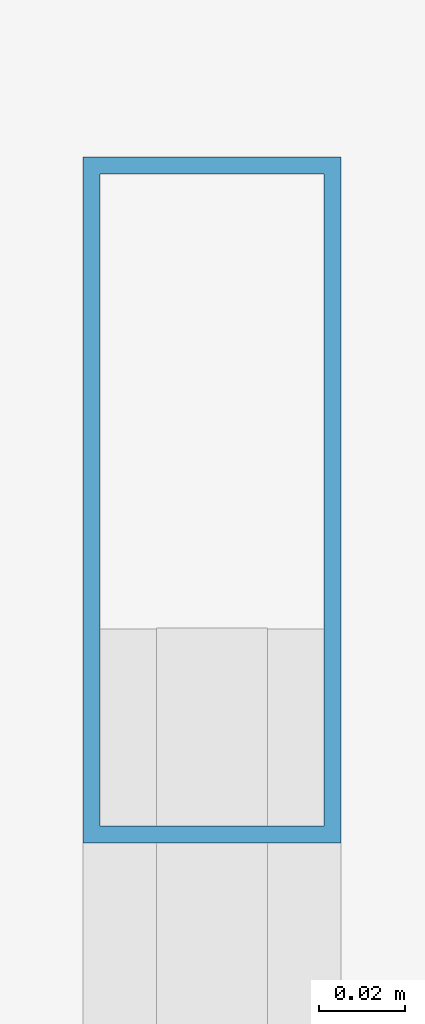
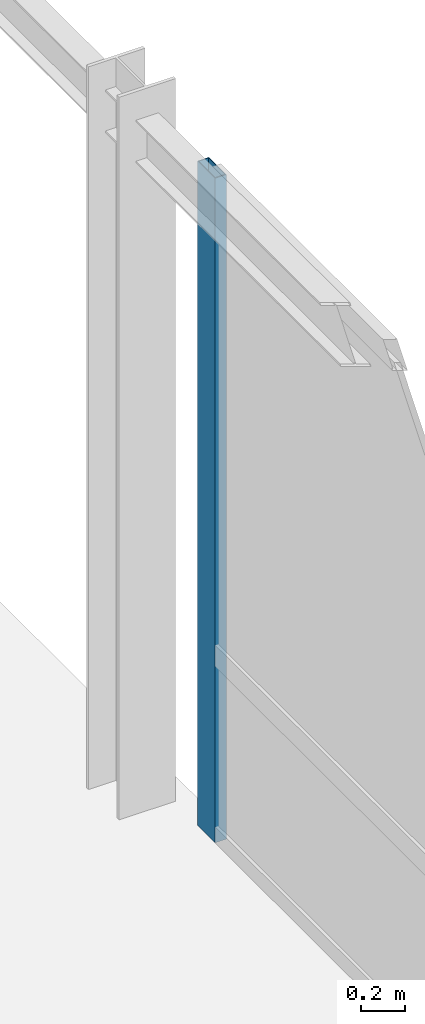
# One storey, part 47 of 165: 1 member, 1 element without a shape of its own.
"""IFC4 building model written with IfcOpenShell, lengths in metres."""

from ifc_helpers import new_model, si_unit, direction, frame, origin, origin_2d, place, context, subcontext, project, spatial, hollow_rectangle, extrude, material, layer, layer_set, material_profile, profile_set, type_object, element, aggregate, save


model = new_model("IFC4")

# Units and contexts
model_context = context("Model", 3, precision=1e-05, world=origin(), true_north=direction((0.0, 1.0)))
body_context = subcontext(model_context, "Body", "Model", "MODEL_VIEW")
ifc_project = project(units=[si_unit("LENGTHUNIT", "METRE"), si_unit("AREAUNIT", "SQUARE_METRE"), si_unit("VOLUMEUNIT", "CUBIC_METRE"), si_unit("PLANEANGLEUNIT", "RADIAN"), si_unit("MASSUNIT", "GRAM", prefix="KILO")], contexts=[model_context])

# Site, building, storey
site_placement = place(None, origin())
site = spatial("IfcSite", under=ifc_project, at=site_placement, CompositionType="ELEMENT")
building_placement = place(site_placement, origin())
building = spatial("IfcBuilding", under=site, at=building_placement, Name="Montecoro Central Library", CompositionType="ELEMENT")
storey_placement = place(building_placement, frame((0.0, 0.0, 5.10009765625)))
storey = spatial("IfcBuildingStorey", under=building, at=storey_placement, Name="L01", CompositionType="ELEMENT", Elevation=5.10009765625)

# Curtain wall, member
ifc_material_1 = material(Name="Bronze-anodised aluminium and low-E glazing", Category="aluminium")
ifc_layer = layer(ifc_material_1, 0.159912109375)
ifc_layer_set = layer_set([ifc_layer], Name="Bronze-anodised aluminium and low-E glazing")
curtain_wall_type = type_object("IfcCurtainWallType", Name="CWT-080", PredefinedType="NOTDEFINED", material=ifc_layer_set)
curtain_wall_placement = place(storey_placement, origin())
curtain_wall = element("IfcCurtainWall", 1, at=curtain_wall_placement, inside=storey, type_object=curtain_wall_type, Name="BR-W-L01-CW-E2", PredefinedType="NOTDEFINED")
ifc_material_2 = material(Name="Bronze-anodised aluminium", Category="aluminium")
ifc_material_profile = material_profile(ifc_material_2, hollow_rectangle(XDim=0.06005859375, YDim=0.159912109375, WallThickness=0.00390625, at=origin_2d()), Name="CWM 160x60x4.0")
ifc_profile_set = profile_set([ifc_material_profile], Name="Bronze-anodised aluminium")
member_type = type_object("IfcMemberType", Name="CWM-BRZ-60", PredefinedType="MULLION", material=ifc_profile_set)
member_placement = place(storey_placement, frame((30.719970703125, 63.449951171875, 0.0), z_axis=(0.0, 0.0, 1.0), x_axis=(-1.0, 0.0, 0.0)))
member = element("IfcMember", 2, at=member_placement, type_object=member_type, Name="CW-080 mullion 5", PredefinedType="MULLION", context=body_context, shape_type="SweptSolid", body=[
    extrude(hollow_rectangle(XDim=0.06005859375, YDim=0.159912109375, WallThickness=0.00390625, at=origin_2d()), origin(), (0.0, 0.0, 1.0), 3.72998046875),
])
aggregate(curtain_wall, [member])

save(model, "model.ifc")
